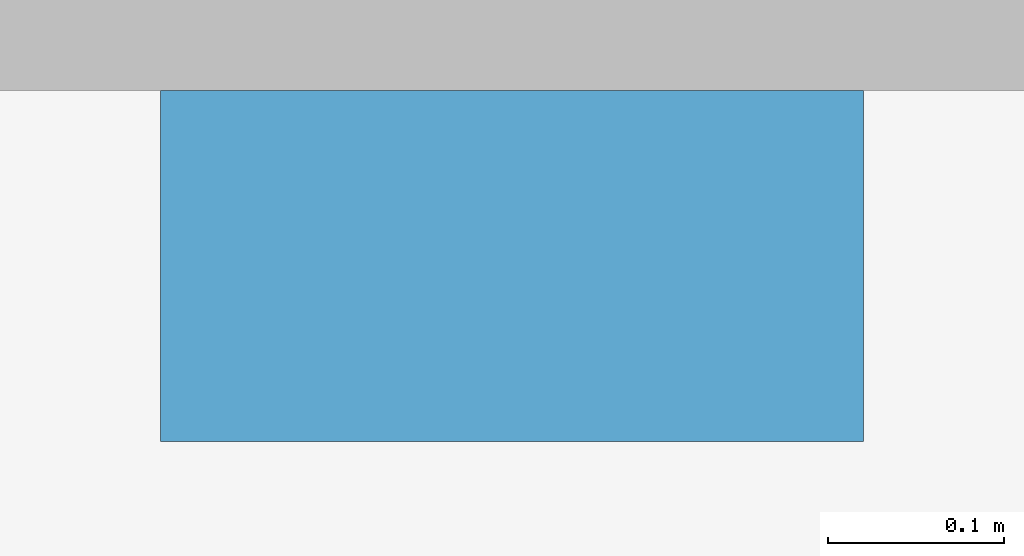
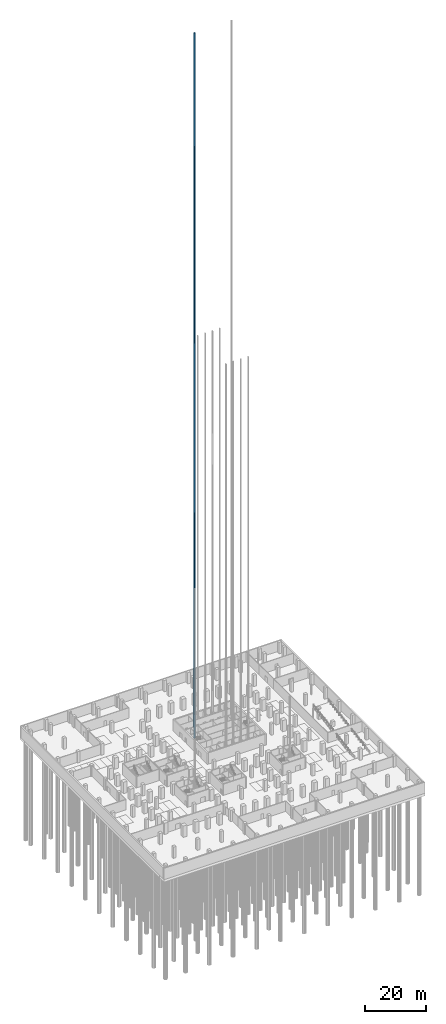
# One storey, part 28 of 37: 1 discrete accessory.
"""IFC4 building model written with IfcOpenShell, lengths in metres."""

from ifc_helpers import new_model, si_unit, direction, frame, origin, origin_2d, place, context, subcontext, project, spatial, rectangle, extrude, material, element, save


model = new_model("IFC4")

# Units and contexts
model_context = context("Model", 3, precision=1e-05, world=origin(), true_north=direction((0.0, 1.0)))
body_context = subcontext(model_context, "Body", "Model", "MODEL_VIEW")
ifc_project = project(units=[si_unit("LENGTHUNIT", "METRE"), si_unit("AREAUNIT", "SQUARE_METRE"), si_unit("VOLUMEUNIT", "CUBIC_METRE"), si_unit("PLANEANGLEUNIT", "RADIAN"), si_unit("MASSUNIT", "GRAM", prefix="KILO")], contexts=[model_context])

# Site, building, storey
site_placement = place(None, origin())
site = spatial("IfcSite", under=ifc_project, at=site_placement, CompositionType="ELEMENT")
building_placement = place(site_placement, origin())
building = spatial("IfcBuilding", under=site, at=building_placement, Name="Quoin Convention Tower", CompositionType="ELEMENT")
storey_placement = place(building_placement, frame((0.0, 0.0, -9.0)))
storey = spatial("IfcBuildingStorey", under=building, at=storey_placement, Name="B2", CompositionType="ELEMENT", Elevation=-9.0)

# Discrete accessory
ifc_material = material(Name="Galvanised steel", Category="steel")
discrete_accessory_placement = place(storey_placement, frame((49.22509765625, 65.10009765625, -0.35009765625), z_axis=(0.0, 0.0, 1.0), x_axis=(1.0, 0.0, 0.0)))
element("IfcDiscreteAccessory", 1, at=discrete_accessory_placement, inside=storey, material=ifc_material, Name="LIFT GUIDE RAILS FL1", ObjectType="Lift guide rails", PredefinedType="USERDEFINED", context=body_context, shape_type="SweptSolid", body=[
    extrude(rectangle(XDim=0.39990234375, YDim=0.199951171875, at=origin_2d()), origin(), (0.0, 0.0, 1.0), 282.800048828125),
])

save(model, "model.ifc")
